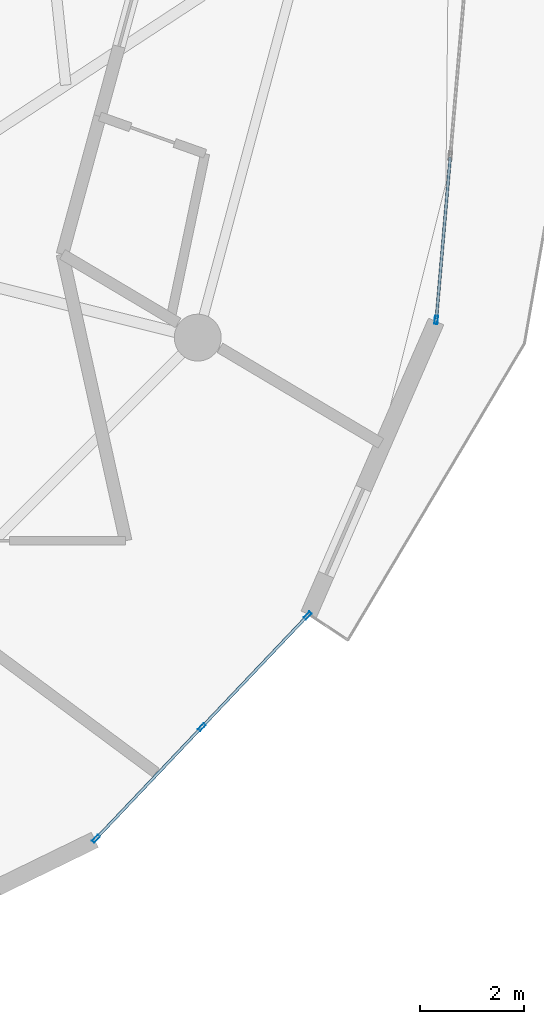
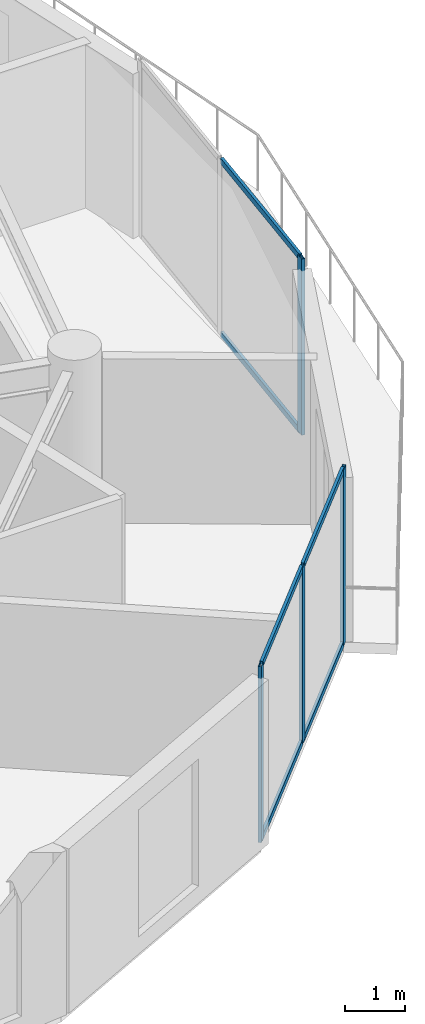
# One storey, part 11 of 23: 10 members, 2 elements without a shape of their own.
"""IFC4 building model written with IfcOpenShell, lengths in metres."""

from ifc_helpers import new_model, si_unit, direction, frame, origin, origin_2d, place, context, subcontext, project, spatial, hollow_rectangle, extrude, source, transform, mapped, material, layer, layer_set, material_profile, profile_set, type_object, element, aggregate, save


model = new_model("IFC4")

# Units and contexts
model_context = context("Model", 3, precision=1e-05, world=origin(), true_north=direction((0.0, 1.0)))
body_context = subcontext(model_context, "Body", "Model", "MODEL_VIEW")
ifc_project = project(units=[si_unit("LENGTHUNIT", "METRE"), si_unit("AREAUNIT", "SQUARE_METRE"), si_unit("VOLUMEUNIT", "CUBIC_METRE"), si_unit("PLANEANGLEUNIT", "RADIAN"), si_unit("MASSUNIT", "GRAM", prefix="KILO")], contexts=[model_context])

# Site, building, storey
site_placement = place(None, origin())
site = spatial("IfcSite", under=ifc_project, at=site_placement, CompositionType="ELEMENT")
building_placement = place(site_placement, origin())
building = spatial("IfcBuilding", under=site, at=building_placement, Name="Solvirekh Grand Hotel", CompositionType="ELEMENT")
storey_placement = place(building_placement, frame((0.0, 0.0, 173.199951171875)))
storey = spatial("IfcBuildingStorey", under=building, at=storey_placement, Name="L44", CompositionType="ELEMENT", Elevation=173.199951171875)

# Curtain wall, members
ifc_material = material(Name="Anodized Bronze Aluminium 6063-T6", Category="aluminium")
ifc_layer = layer(ifc_material, 0.159912109375)
ifc_layer_set = layer_set([ifc_layer], Name="Anodized Bronze Aluminium 6063-T6")
curtain_wall_type = type_object("IfcCurtainWallType", Name="CW_Sys4_HighZoneFlushBronzeCW", PredefinedType="NOTDEFINED", material=ifc_layer_set)
curtain_wall_1_placement = place(storey_placement, origin())
curtain_wall_1 = element("IfcCurtainWall", 1, at=curtain_wall_1_placement, inside=storey, type_object=curtain_wall_type, Name="L44 unitised bronze-glass curtain wall CW-L44-C01", PredefinedType="NOTDEFINED")
ifc_material_profile_1 = material_profile(ifc_material, hollow_rectangle(XDim=0.06005859375, YDim=0.159912109375, WallThickness=0.0048828125, at=origin_2d()), Name="ALU RHS 160X60X5")
ifc_profile_set_1 = profile_set([ifc_material_profile_1], Name="Anodized Bronze Aluminium 6063-T6")
member_type_1 = type_object("IfcMemberType", Name="CWMullion_Sys4", PredefinedType="MULLION", material=ifc_profile_set_1)
shared_shape_1 = source(origin(), body_context, "Body", "SweptSolid", [
    extrude(hollow_rectangle(XDim=0.06005859375, YDim=0.159912109375, WallThickness=0.0048828125, at=origin_2d()), origin(), (0.0, 0.0, 1.0), 3.60009765625),
])
member_1_placement = place(storey_placement, frame((11.728759765625, -17.520263671875, 0.0), z_axis=(0.0, 0.0, 1.0), x_axis=(-0.725547377968, 0.688172218506, 0.0)))
member_1 = element("IfcMember", 2, at=member_1_placement, type_object=member_type_1, Name="U04 mullion 1", PredefinedType="MULLION", context=body_context, shape_type="MappedRepresentation", body=[
    mapped(shared_shape_1, transform((0.0, 0.0, 0.0), x_axis=(1.0, 0.0, 0.0), y_axis=(0.0, 1.0, 0.0), z_axis=(0.0, 0.0, 1.0), scale=1.0)),
])
member_2_placement = place(storey_placement, frame((13.760986328125, -15.37744140625, 0.0), z_axis=(0.0, 0.0, 1.0), x_axis=(-0.725547377968, 0.688172218506, 0.0)))
member_2 = element("IfcMember", 3, at=member_2_placement, type_object=member_type_1, Name="U04 mullion 2", PredefinedType="MULLION", context=body_context, shape_type="MappedRepresentation", body=[
    mapped(shared_shape_1, transform((0.0, 0.0, 0.0), x_axis=(1.0, 0.0, 0.0), y_axis=(0.0, 1.0, 0.0), z_axis=(0.0, 0.0, 1.0), scale=1.0)),
])
member_3_placement = place(storey_placement, frame((15.79345703125, -13.23486328125, 0.0), z_axis=(0.0, 0.0, 1.0), x_axis=(-0.725547377968, 0.688172218506, 0.0)))
member_3 = element("IfcMember", 4, at=member_3_placement, type_object=member_type_1, Name="U04 mullion 3", PredefinedType="MULLION", context=body_context, shape_type="MappedRepresentation", body=[
    mapped(shared_shape_1, transform((0.0, 0.0, 0.0), x_axis=(1.0, 0.0, 0.0), y_axis=(0.0, 1.0, 0.0), z_axis=(0.0, 0.0, 1.0), scale=1.0)),
])

# Curtain wall, member
curtain_wall_2_placement = place(storey_placement, origin())
curtain_wall_2 = element("IfcCurtainWall", 5, at=curtain_wall_2_placement, inside=storey, type_object=curtain_wall_type, Name="L44 unitised bronze-glass curtain wall CW-L44-C03", PredefinedType="NOTDEFINED")
member_4_placement = place(storey_placement, frame((18.262451171875, -7.56005859375, 0.0), z_axis=(0.0, 0.0, 1.0), x_axis=(-0.996355395292, 0.085299040279, 0.0)))
member_4 = element("IfcMember", 6, at=member_4_placement, type_object=member_type_1, Name="U04 mullion 1", PredefinedType="MULLION", context=body_context, shape_type="MappedRepresentation", body=[
    mapped(shared_shape_1, transform((0.0, 0.0, 0.0), x_axis=(1.0, 0.0, 0.0), y_axis=(0.0, 1.0, 0.0), z_axis=(0.0, 0.0, 1.0), scale=1.0)),
])

# Member
ifc_material_profile_2 = material_profile(ifc_material, hollow_rectangle(XDim=0.054931640625, YDim=0.1201171875, WallThickness=0.00390625, at=origin_2d()), Name="ALU RHS 120X55X4")
ifc_profile_set_2 = profile_set([ifc_material_profile_2], Name="Anodized Bronze Aluminium 6063-T6")
member_type_2 = type_object("IfcMemberType", Name="CWTransom_Sys4", PredefinedType="USERDEFINED", material=ifc_profile_set_2)
shared_shape_2 = source(origin(), body_context, "Body", "SweptSolid", [
    extrude(hollow_rectangle(XDim=0.054931640625, YDim=0.1201171875, WallThickness=0.00390625, at=origin_2d()), origin(), (0.0, 0.0, 1.0), 2.893310546875),
])
member_5_placement = place(storey_placement, frame((11.749267578125, -17.49853515625, 0.027587890625), z_axis=(0.688126053056, 0.725591162505, 0.0), x_axis=(-0.725591162505, 0.688126053056, 0.0)))
member_5 = element("IfcMember", 7, at=member_5_placement, type_object=member_type_2, Name="U04 transom 1.1", ObjectType="TRANSOM", PredefinedType="USERDEFINED", context=body_context, shape_type="MappedRepresentation", body=[
    mapped(shared_shape_2, transform((0.0, 0.0, 0.0), x_axis=(1.0, 0.0, 0.0), y_axis=(0.0, 1.0, 0.0), z_axis=(0.0, 0.0, 1.0), scale=1.0)),
])

member_6_placement = place(storey_placement, frame((11.749267578125, -17.49853515625, 3.572509765625), z_axis=(0.688126053056, 0.725591162505, 0.0), x_axis=(-0.725591162505, 0.688126053056, 0.0)))
member_6 = element("IfcMember", 8, at=member_6_placement, type_object=member_type_2, Name="U04 transom 1.2", ObjectType="TRANSOM", PredefinedType="USERDEFINED", context=body_context, shape_type="MappedRepresentation", body=[
    mapped(shared_shape_2, transform((0.0, 0.0, 0.0), x_axis=(1.0, 0.0, 0.0), y_axis=(0.0, 1.0, 0.0), z_axis=(0.0, 0.0, 1.0), scale=1.0)),
])

shared_shape_3 = source(origin(), body_context, "Body", "SweptSolid", [
    extrude(hollow_rectangle(XDim=0.054931640625, YDim=0.1201171875, WallThickness=0.00390625, at=origin_2d()), origin(), (0.0, 0.0, 1.0), 2.89306640625),
])
member_7_placement = place(storey_placement, frame((13.78173828125, -15.355712890625, 0.027587890625), z_axis=(0.688168185694, 0.725551203016, 0.0), x_axis=(-0.725551203016, 0.688168185694, 0.0)))
member_7 = element("IfcMember", 9, at=member_7_placement, type_object=member_type_2, Name="U04 transom 2.1", ObjectType="TRANSOM", PredefinedType="USERDEFINED", context=body_context, shape_type="MappedRepresentation", body=[
    mapped(shared_shape_3, transform((0.0, 0.0, 0.0), x_axis=(1.0, 0.0, 0.0), y_axis=(0.0, 1.0, 0.0), z_axis=(0.0, 0.0, 1.0), scale=1.0)),
])

member_8_placement = place(storey_placement, frame((13.78173828125, -15.355712890625, 3.572509765625), z_axis=(0.688168185694, 0.725551203016, 0.0), x_axis=(-0.725551203016, 0.688168185694, 0.0)))
member_8 = element("IfcMember", 10, at=member_8_placement, type_object=member_type_2, Name="U04 transom 2.2", ObjectType="TRANSOM", PredefinedType="USERDEFINED", context=body_context, shape_type="MappedRepresentation", body=[
    mapped(shared_shape_3, transform((0.0, 0.0, 0.0), x_axis=(1.0, 0.0, 0.0), y_axis=(0.0, 1.0, 0.0), z_axis=(0.0, 0.0, 1.0), scale=1.0)),
])

aggregate(curtain_wall_1, [member_1, member_2, member_3, member_5, member_6, member_7, member_8])

shared_shape_4 = source(origin(), body_context, "Body", "SweptSolid", [
    extrude(hollow_rectangle(XDim=0.054931640625, YDim=0.1201171875, WallThickness=0.00390625, at=origin_2d()), origin(), (0.0, 0.0, 1.0), 3.1044921875),
])
member_9_placement = place(storey_placement, frame((18.26513671875, -7.5302734375, 0.027587890625), z_axis=(0.085323075845, 0.99635333729, 0.0), x_axis=(-0.99635333729, 0.085323075845, 0.0)))
member_9 = element("IfcMember", 11, at=member_9_placement, type_object=member_type_2, Name="U04 transom 1.1", ObjectType="TRANSOM", PredefinedType="USERDEFINED", context=body_context, shape_type="MappedRepresentation", body=[
    mapped(shared_shape_4, transform((0.0, 0.0, 0.0), x_axis=(1.0, 0.0, 0.0), y_axis=(0.0, 1.0, 0.0), z_axis=(0.0, 0.0, 1.0), scale=1.0)),
])

member_10_placement = place(storey_placement, frame((18.26513671875, -7.5302734375, 3.572509765625), z_axis=(0.085323075845, 0.99635333729, 0.0), x_axis=(-0.99635333729, 0.085323075845, 0.0)))
member_10 = element("IfcMember", 12, at=member_10_placement, type_object=member_type_2, Name="U04 transom 1.2", ObjectType="TRANSOM", PredefinedType="USERDEFINED", context=body_context, shape_type="MappedRepresentation", body=[
    mapped(shared_shape_4, transform((0.0, 0.0, 0.0), x_axis=(1.0, 0.0, 0.0), y_axis=(0.0, 1.0, 0.0), z_axis=(0.0, 0.0, 1.0), scale=1.0)),
])

aggregate(curtain_wall_2, [member_4, member_9, member_10])

save(model, "model.ifc")
